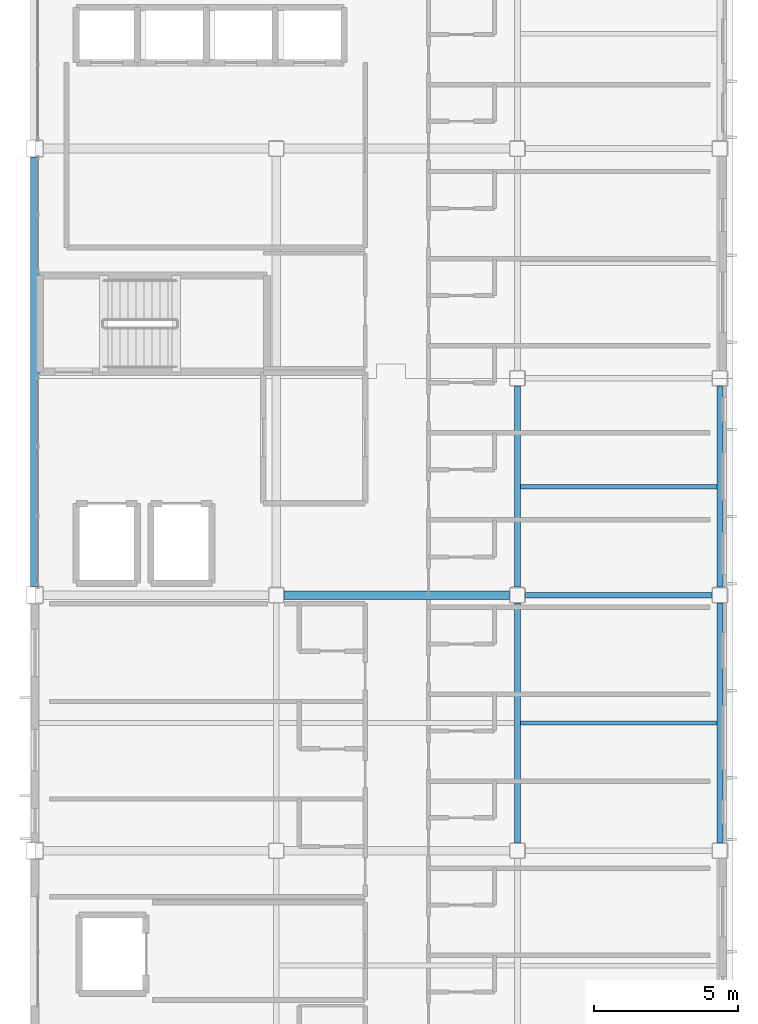
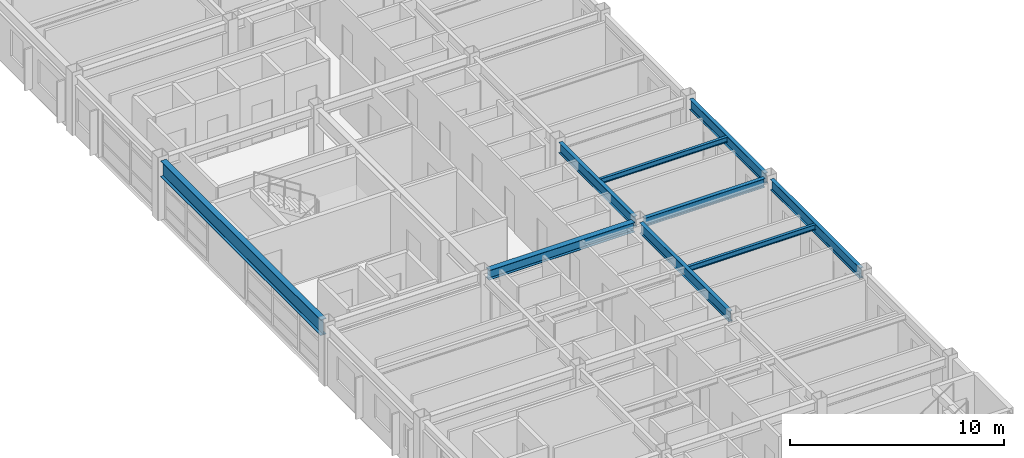
# One storey, part 13 of 38: 9 beams.
"""IFC4 building model written with IfcOpenShell, lengths in metres."""

from ifc_helpers import new_model, si_unit, direction, frame, origin, origin_2d, place, context, subcontext, project, spatial, i_section, extrude, material, material_profile, profile_set, type_object, element, save


model = new_model("IFC4")

# Units and contexts
model_context = context("Model", 3, precision=1e-05, world=origin(), true_north=direction((0.0, 1.0)))
body_context = subcontext(model_context, "Body", "Model", "MODEL_VIEW")
ifc_project = project(units=[si_unit("LENGTHUNIT", "METRE"), si_unit("AREAUNIT", "SQUARE_METRE"), si_unit("VOLUMEUNIT", "CUBIC_METRE"), si_unit("PLANEANGLEUNIT", "RADIAN"), si_unit("MASSUNIT", "GRAM", prefix="KILO")], contexts=[model_context])

# Site, building, storey
site_placement = place(None, origin())
site = spatial("IfcSite", under=ifc_project, at=site_placement, CompositionType="ELEMENT")
building_placement = place(site_placement, origin())
building = spatial("IfcBuilding", under=site, at=building_placement, Name="Kazehara Bluff Congress Hotel", CompositionType="ELEMENT")
storey_placement = place(building_placement, frame((0.0, 0.0, 24.60009765625)))
storey = spatial("IfcBuildingStorey", under=building, at=storey_placement, Name="L05", CompositionType="ELEMENT", Elevation=24.60009765625)

# Beams
ifc_material_1 = material(Name="Steel SN490B", Category="steel")
ifc_material_profile_1 = material_profile(ifc_material_1, i_section(OverallWidth=0.199951171875, OverallDepth=0.5, WebThickness=0.010009765625, FlangeThickness=0.01611328125, FilletRadius=0.012939453125, at=origin_2d()))
ifc_profile_set_1 = profile_set([ifc_material_profile_1], Name="Steel SN490B")
beam_type_1 = type_object("IfcBeamType", Name="TP-G-01", PredefinedType="BEAM", material=ifc_profile_set_1)
beam_1_placement = place(storey_placement, frame((160.77490234375, 40.89990234375, 3.1298828125), z_axis=(1.0, 0.0, 0.0), x_axis=(0.0, 1.0, 0.0)))
element("IfcBeam", 1, at=beam_1_placement, inside=storey, type_object=beam_type_1, Name="L05 girder G-01 61", PredefinedType="BEAM", context=body_context, shape_type="SweptSolid", body=[
    extrude(i_section(OverallWidth=0.199951171875, OverallDepth=0.5, WebThickness=0.010009765625, FlangeThickness=0.01611328125, FilletRadius=0.012939453125, at=origin_2d()), origin(), (0.0, 0.0, 1.0), 6.5),
])
ifc_material_2 = material(Name="Steel SN490B", Category="steel")
ifc_material_profile_2 = material_profile(ifc_material_2, i_section(OverallWidth=0.199951171875, OverallDepth=0.60009765625, WebThickness=0.010986328125, FlangeThickness=0.01708984375, FilletRadius=0.012939453125, at=origin_2d()))
ifc_profile_set_2 = profile_set([ifc_material_profile_2], Name="Steel SN490B")
beam_type_2 = type_object("IfcBeamType", Name="TP-G-02", PredefinedType="BEAM", material=ifc_profile_set_2)
beam_2_placement = place(storey_placement, frame((160.5, 32.27490234375, 3.079833984375), z_axis=(0.0, 1.0, 0.0), x_axis=(-1.0, 0.0, 0.0)))
element("IfcBeam", 2, at=beam_2_placement, inside=storey, type_object=beam_type_2, Name="L05 girder G-02 27", PredefinedType="BEAM", context=body_context, shape_type="SweptSolid", body=[
    extrude(i_section(OverallWidth=0.199951171875, OverallDepth=0.60009765625, WebThickness=0.010986328125, FlangeThickness=0.01708984375, FilletRadius=0.012939453125, at=origin_2d()), origin(), (0.0, 0.0, 1.0), 8.35009765625),
])
beam_3_placement = place(storey_placement, frame((160.5, 41.175048828125, 3.079833984375), z_axis=(0.0, 1.0, 0.0), x_axis=(-1.0, 0.0, 0.0)))
element("IfcBeam", 3, at=beam_3_placement, inside=storey, type_object=beam_type_2, Name="L05 girder G-02 28", PredefinedType="BEAM", context=body_context, shape_type="SweptSolid", body=[
    extrude(i_section(OverallWidth=0.199951171875, OverallDepth=0.60009765625, WebThickness=0.010986328125, FlangeThickness=0.01708984375, FilletRadius=0.012939453125, at=origin_2d()), origin(), (0.0, 0.0, 1.0), 7.0),
])
beam_4_placement = place(storey_placement, frame((167.550048828125, 32.27490234375, 3.079833984375), z_axis=(0.0, 1.0, 0.0), x_axis=(-1.0, 0.0, 0.0)))
element("IfcBeam", 4, at=beam_4_placement, inside=storey, type_object=beam_type_2, Name="L05 girder G-02 37", PredefinedType="BEAM", context=body_context, shape_type="SweptSolid", body=[
    extrude(i_section(OverallWidth=0.199951171875, OverallDepth=0.60009765625, WebThickness=0.010986328125, FlangeThickness=0.01708984375, FilletRadius=0.012939453125, at=origin_2d()), origin(), (0.0, 0.0, 1.0), 8.35009765625),
])
beam_5_placement = place(storey_placement, frame((167.550048828125, 41.175048828125, 3.079833984375), z_axis=(0.0, 1.0, 0.0), x_axis=(-1.0, 0.0, 0.0)))
element("IfcBeam", 5, at=beam_5_placement, inside=storey, type_object=beam_type_2, Name="L05 girder G-02 38", PredefinedType="BEAM", context=body_context, shape_type="SweptSolid", body=[
    extrude(i_section(OverallWidth=0.199951171875, OverallDepth=0.60009765625, WebThickness=0.010986328125, FlangeThickness=0.01708984375, FilletRadius=0.012939453125, at=origin_2d()), origin(), (0.0, 0.0, 1.0), 7.0),
])
ifc_material_3 = material(Name="Steel SN490B", Category="steel")
ifc_material_profile_3 = material_profile(ifc_material_3, i_section(OverallWidth=0.300048828125, OverallDepth=0.89990234375, WebThickness=0.01611328125, FlangeThickness=0.028076171875, FilletRadius=0.01806640625, at=origin_2d()))
ifc_profile_set_3 = profile_set([ifc_material_profile_3], Name="Steel SN490B")
beam_type_3 = type_object("IfcBeamType", Name="TP-G-08", PredefinedType="BEAM", material=ifc_profile_set_3)
beam_6_placement = place(storey_placement, frame((143.699951171875, 41.199951171875, 2.929931640625), z_axis=(0.0, 1.0, 0.0), x_axis=(-1.0, 0.0, 0.0)))
element("IfcBeam", 6, at=beam_6_placement, inside=storey, type_object=beam_type_3, Name="L05 girder G-08 6", PredefinedType="BEAM", context=body_context, shape_type="SweptSolid", body=[
    extrude(i_section(OverallWidth=0.300048828125, OverallDepth=0.89990234375, WebThickness=0.01611328125, FlangeThickness=0.028076171875, FilletRadius=0.01806640625, at=origin_2d()), origin(), (0.0, 0.0, 1.0), 14.949951171875),
])
ifc_material_4 = material(Name="Steel SN490B", Category="steel")
ifc_material_profile_4 = material_profile(ifc_material_4, i_section(OverallWidth=0.300048828125, OverallDepth=0.550048828125, WebThickness=0.010986328125, FlangeThickness=0.01806640625, FilletRadius=0.012939453125, at=origin_2d()))
ifc_profile_set_4 = profile_set([ifc_material_profile_4], Name="Steel SN490B")
beam_type_4 = type_object("IfcBeamType", Name="TP-G-12", PredefinedType="BEAM", material=ifc_profile_set_4)
beam_7_placement = place(storey_placement, frame((152.375, 40.89990234375, 3.10498046875), z_axis=(1.0, 0.0, 0.0), x_axis=(0.0, 1.0, 0.0)))
element("IfcBeam", 7, at=beam_7_placement, inside=storey, type_object=beam_type_4, Name="L05 girder G-12 60", PredefinedType="BEAM", context=body_context, shape_type="SweptSolid", body=[
    extrude(i_section(OverallWidth=0.300048828125, OverallDepth=0.550048828125, WebThickness=0.010986328125, FlangeThickness=0.01806640625, FilletRadius=0.012939453125, at=origin_2d()), origin(), (0.0, 0.0, 1.0), 7.85009765625),
])
ifc_material_5 = material(Name="Steel SN400B", Category="steel")
ifc_material_profile_5 = material_profile(ifc_material_5, i_section(OverallWidth=0.14990234375, OverallDepth=0.300048828125, WebThickness=0.006591796875, FlangeThickness=0.009033203125, FilletRadius=0.012939453125, at=origin_2d()))
ifc_profile_set_5 = profile_set([ifc_material_profile_5], Name="Steel SN400B")
beam_type_5 = type_object("IfcBeamType", Name="TP-J-01", PredefinedType="JOIST", material=ifc_profile_set_5)
for number, where, z_axis, x_axis, name in (
    (8, (160.60009765625, 36.449951171875, 3.22998046875), (1.0, 0.0, 0.0), (0.0, 1.0, 0.0), "L05 secondary joist J-01 20"),
    (9, (160.60009765625, 44.675048828125, 3.22998046875), (1.0, 0.0, 0.0), (0.0, 1.0, 0.0), "L05 secondary joist J-01 21"),
):
    element("IfcBeam", number, at=place(storey_placement, frame(where, z_axis=z_axis, x_axis=x_axis)), inside=storey, type_object=beam_type_5, Name=name, PredefinedType="JOIST", context=body_context, shape_type="SweptSolid", body=[
        extrude(i_section(OverallWidth=0.14990234375, OverallDepth=0.300048828125, WebThickness=0.006591796875, FlangeThickness=0.009033203125, FilletRadius=0.012939453125, at=origin_2d()), origin(), (0.0, 0.0, 1.0), 6.849853515625),
    ])

save(model, "model.ifc")
